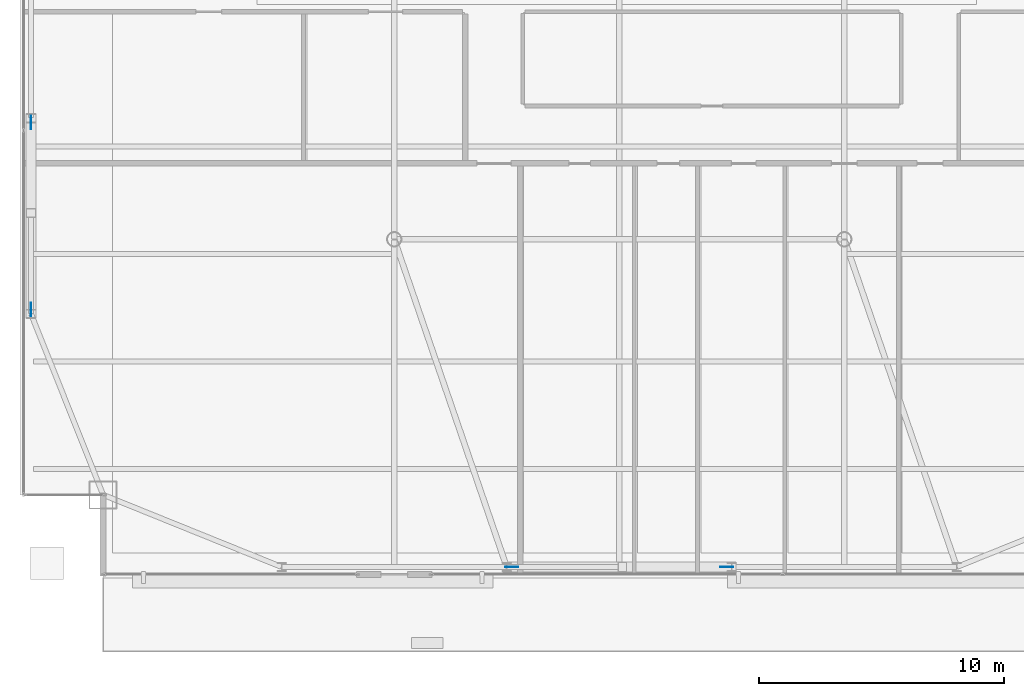
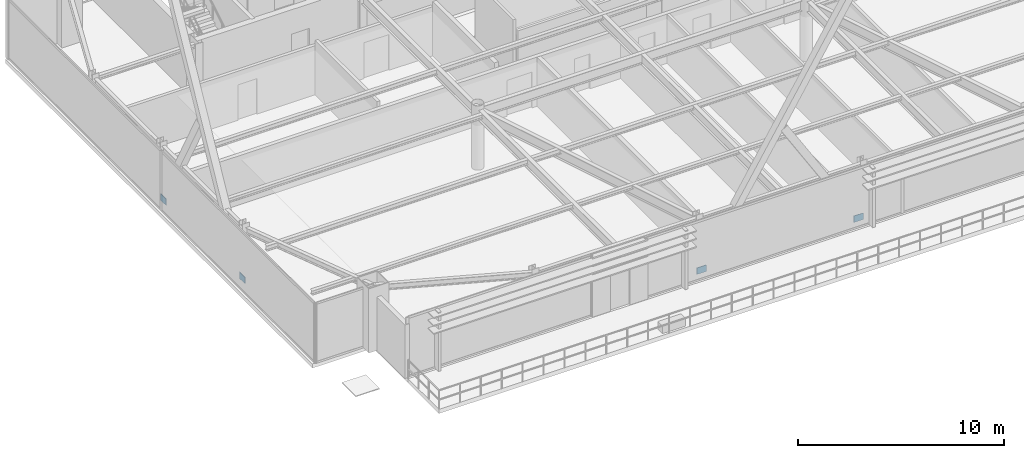
# One storey, part 26 of 33: 4 plates.
"""IFC4 building model written with IfcOpenShell, lengths in metres."""

import ifcopenshell
import ifcopenshell.guid

model = None  # the IFC model being written
_history = None  # IfcOwnerHistory: only IFC2X3 demands one
_inside = {}  # id of a spatial element -> (the spatial element, [elements in it])
_under = {}  # id of a project, library or spatial element -> (it, [spatial elements below it])
_declared = {}  # id of a project -> (the project, [libraries it declares])
_typed = {}  # id of a type object -> (the type object, [elements of that type])
_made_of = {}  # id of a material, layer set ... -> (it, [elements and type objects made of it])


def new_model(schema):
    """Start an empty IFC model of exactly this schema.

    Asked for "IFC4X3", IfcOpenShell would pick the latest addendum, in which some entities
    have other attributes; the version numbers below select the first issue.
    IFC2X3 requires an IfcOwnerHistory on every rooted entity: one is made here for all.
    """
    global model, _history
    if schema == "IFC4X3":
        model = ifcopenshell.file(schema_version=(4, 3, 0, 0))
    else:
        model = ifcopenshell.file(schema=schema)
    _inside.clear()
    _under.clear()
    _declared.clear()
    _typed.clear()
    _made_of.clear()
    _history = None
    if model.schema == "IFC2X3":
        org = make("IfcOrganization", Name="unknown")
        user = make(
            "IfcPersonAndOrganization",
            ThePerson=make("IfcPerson", FamilyName="unknown"),
            TheOrganization=org,
        )
        app = make(
            "IfcApplication",
            ApplicationDeveloper=org,
            Version="unknown",
            ApplicationFullName="unknown",
            ApplicationIdentifier="unknown",
        )
        _history = make(
            "IfcOwnerHistory",
            OwningUser=user,
            OwningApplication=app,
            ChangeAction="ADDED",
            CreationDate=0,
        )
    return model


def make(cls, **values):
    """One entity of the class cls with the attributes given. An attribute that is None is left unset."""
    return model.create_entity(
        cls, **{name: value for name, value in values.items() if value is not None}
    )


def rooted(cls, **values):
    """An entity with a GlobalId (a new one), such as an element, a storey or a relation."""
    return make(cls, GlobalId=ifcopenshell.guid.new(), OwnerHistory=_history, **values)


def si_unit(unit_type, name, prefix=None):
    """IfcSIUnit, for example si_unit("LENGTHUNIT", "METRE", prefix="MILLI")."""
    return make("IfcSIUnit", UnitType=unit_type, Prefix=prefix, Name=name)


def assignment(units):
    """IfcUnitAssignment: the units of a project."""
    return None if units is None else make("IfcUnitAssignment", Units=units)


def point(xyz):
    """IfcCartesianPoint."""
    return None if xyz is None else make("IfcCartesianPoint", Coordinates=xyz)


def direction(xyz):
    """IfcDirection."""
    return None if xyz is None else make("IfcDirection", DirectionRatios=xyz)


def frame(location, z_axis=None, x_axis=None):
    """IfcAxis2Placement3D, a coordinate frame: its origin and axes. An axis left out is left unset."""
    return make(
        "IfcAxis2Placement3D",
        Location=point(location),
        Axis=direction(z_axis),
        RefDirection=direction(x_axis),
    )


def frame_2d(location, x_axis=None):
    """IfcAxis2Placement2D, a coordinate frame in the plane: its origin and x axis."""
    return make(
        "IfcAxis2Placement2D", Location=point(location), RefDirection=direction(x_axis)
    )


def origin():
    """The frame at (0, 0, 0) with its axes left unset."""
    return frame((0.0, 0.0, 0.0))


def origin_2d():
    """The frame at (0, 0) in the plane with its x axis left unset."""
    return frame_2d((0.0, 0.0))


def place(relative_to, where):
    """IfcLocalPlacement: puts the frame where relative to a parent placement (None: the world)."""
    return make(
        "IfcLocalPlacement", PlacementRelTo=relative_to, RelativePlacement=where
    )


def context(
    kind, dimensions, precision=None, world=None, true_north=None, identifier=None
):
    """IfcGeometricRepresentationContext, for example the 3D "Model" context."""
    return make(
        "IfcGeometricRepresentationContext",
        ContextIdentifier=identifier,
        ContextType=kind,
        CoordinateSpaceDimension=dimensions,
        Precision=precision,
        WorldCoordinateSystem=world,
        TrueNorth=true_north,
    )


def subcontext(parent, identifier, kind, view, scale=None):
    """IfcGeometricRepresentationSubContext, for example "Body" below "Model"."""
    return make(
        "IfcGeometricRepresentationSubContext",
        ContextIdentifier=identifier,
        ContextType=kind,
        ParentContext=parent,
        TargetScale=scale,
        TargetView=view,
    )


def project(units=None, contexts=None):
    """IfcProject with its units and contexts."""
    return rooted(
        "IfcProject",
        Name="project",
        RepresentationContexts=contexts,
        UnitsInContext=assignment(units),
    )


def spatial(cls, under=None, at=None, **own):
    """A site, building, storey or space (cls), placed at a placement, below another one or the project."""
    s = rooted(cls, ObjectPlacement=at, **own)
    if under is not None:
        _under.setdefault(under.id(), (under, []))[1].append(s)
    return s


def profile(cls, at=None, kind="AREA", **sizes):
    """A parametric profile (cls). Its sizes go by their IFC names, for example OverallWidth=200.0."""
    return make(cls, ProfileType=kind, Position=at, **sizes)


def rectangle(**sizes):
    """IfcRectangleProfileDef."""
    return profile("IfcRectangleProfileDef", **sizes)


def extrude(swept, where, along, depth):
    """IfcExtrudedAreaSolid: the profile swept, set in the frame where, extruded along a direction by depth."""
    return make(
        "IfcExtrudedAreaSolid",
        SweptArea=swept,
        Position=where,
        ExtrudedDirection=direction(along),
        Depth=depth,
    )


def shape(context_of_items, identifier, shape_type, items):
    """IfcShapeRepresentation: the items that make up one representation, for example the "Body"."""
    return make(
        "IfcShapeRepresentation",
        ContextOfItems=context_of_items,
        RepresentationIdentifier=identifier,
        RepresentationType=shape_type,
        Items=items,
    )


def source(mapping_origin, context_of_items, identifier, shape_type, items):
    """IfcRepresentationMap: a shape defined once, which mapped items show again and again."""
    return make(
        "IfcRepresentationMap",
        MappingOrigin=mapping_origin,
        MappedRepresentation=shape(context_of_items, identifier, shape_type, items),
    )


def transform(
    local_origin,
    x_axis=None,
    y_axis=None,
    z_axis=None,
    scale=None,
    scale2=None,
    scale3=None,
    uniform=True,
):
    """IfcCartesianTransformationOperator3D, or its non-uniform kind. x_axis, y_axis, z_axis: its Axis1, 2, 3."""
    if uniform:
        return make(
            "IfcCartesianTransformationOperator3D",
            Axis1=direction(x_axis),
            Axis2=direction(y_axis),
            LocalOrigin=point(local_origin),
            Scale=scale,
            Axis3=direction(z_axis),
        )
    return make(
        "IfcCartesianTransformationOperator3DnonUniform",
        Axis1=direction(x_axis),
        Axis2=direction(y_axis),
        LocalOrigin=point(local_origin),
        Scale=scale,
        Axis3=direction(z_axis),
        Scale2=scale2,
        Scale3=scale3,
    )


def mapped(mapping_source, mapping_target):
    """IfcMappedItem: shows the shape of a source again, moved by a transform."""
    return make(
        "IfcMappedItem", MappingSource=mapping_source, MappingTarget=mapping_target
    )


def material(Name=None, Category=None):
    """IfcMaterial."""
    return make("IfcMaterial", Name=Name, Category=Category)


def layer(
    of_material, thickness, ventilated=None, Name=None, Category=None, Priority=None
):
    """IfcMaterialLayer: one layer of a wall or slab, of a material (None: an air gap)."""
    return make(
        "IfcMaterialLayer",
        Material=of_material,
        LayerThickness=thickness,
        IsVentilated=ventilated,
        Name=Name,
        Category=Category,
        Priority=Priority,
    )


def layer_set(layers, Name=None):
    """IfcMaterialLayerSet."""
    return make("IfcMaterialLayerSet", MaterialLayers=layers, LayerSetName=Name)


def made_of(thing, what):
    """Note that an element or type object is made of a material, layer set ...; save() writes the relation."""
    if what is not None:
        _made_of.setdefault(what.id(), (what, []))[1].append(thing)
    return thing


def type_object(cls, material=None, **own):
    """A type object (cls), such as IfcWallType, which elements share."""
    return made_of(rooted(cls, **own), material)


def type_shapes(of_type, sources):
    """Give a type object the sources (RepresentationMaps) that its elements show as mapped items."""
    of_type.RepresentationMaps = sources


def element(
    cls,
    number,
    at=None,
    inside=None,
    cuts=None,
    type_object=None,
    material=None,
    context=None,
    identifier="Body",
    shape_type=None,
    held_by="IfcProductDefinitionShape",
    body=None,
    shapes=None,
    **own,
):
    """One element of the class cls, such as IfcWall. Its Tag is "e" and its number.

    at: its placement. inside: the storey or other place that contains it. cuts: it is an
    opening in that element (IfcRelVoidsElement). A single representation is given by context,
    identifier, shape_type and body (its items); several are given by shapes. held_by: the class
    of the entity that holds the representations. save() writes the other relations.
    """
    e = rooted(cls, Tag="e%d" % number, ObjectPlacement=at, **own)
    if body is not None:
        shapes = [shape(context, identifier, shape_type, body)]
    if shapes is not None:
        e.Representation = make(held_by, Representations=shapes)
    if inside is not None:
        _inside.setdefault(inside.id(), (inside, []))[1].append(e)
    if cuts is not None:
        rooted(
            "IfcRelVoidsElement", RelatingBuildingElement=cuts, RelatedOpeningElement=e
        )
    if type_object is not None:
        _typed.setdefault(type_object.id(), (type_object, []))[1].append(e)
    return made_of(e, material)


def aggregate(whole, parts):
    """IfcRelAggregates: a whole, such as a stair, and the parts it consists of."""
    return rooted("IfcRelAggregates", RelatingObject=whole, RelatedObjects=parts)


def save(model, path):
    """Write the relations noted so far, then the file.

    IfcRelAggregates (storeys below a building ...), IfcRelContainedInSpatialStructure (elements
    in a storey), IfcRelDefinesByType, IfcRelAssociatesMaterial and IfcRelDeclares: one each for
    every whole, place, type object, material and project.
    """
    for whole, parts in _under.values():
        aggregate(whole, parts)
    for where, things in _inside.values():
        rooted(
            "IfcRelContainedInSpatialStructure",
            RelatedElements=things,
            RelatingStructure=where,
        )
    for kind, things in _typed.values():
        rooted("IfcRelDefinesByType", RelatedObjects=things, RelatingType=kind)
    for what, things in _made_of.values():
        rooted("IfcRelAssociatesMaterial", RelatedObjects=things, RelatingMaterial=what)
    for by, libraries in _declared.values():
        rooted("IfcRelDeclares", RelatingContext=by, RelatedDefinitions=libraries)
    model.write(path)


model = new_model("IFC4")

# Units and contexts
model_context = context("Model", 3, precision=1e-05, world=origin(), true_north=direction((0.0, 1.0)))
body_context = subcontext(model_context, "Body", "Model", "MODEL_VIEW")
ifc_project = project(units=[si_unit("LENGTHUNIT", "METRE"), si_unit("AREAUNIT", "SQUARE_METRE"), si_unit("VOLUMEUNIT", "CUBIC_METRE"), si_unit("PLANEANGLEUNIT", "RADIAN"), si_unit("MASSUNIT", "GRAM", prefix="KILO")], contexts=[model_context])

# Site, building, storey
site_placement = place(None, origin())
site = spatial("IfcSite", under=ifc_project, at=site_placement, CompositionType="ELEMENT")
building_placement = place(site_placement, origin())
building = spatial("IfcBuilding", under=site, at=building_placement, Name="Varnel Quay Broadcast Tower", CompositionType="ELEMENT")
storey_placement = place(building_placement, frame((0.0, 0.0, 199.800048828125)))
storey = spatial("IfcBuildingStorey", under=building, at=storey_placement, Name="L49", CompositionType="ELEMENT", Elevation=199.800048828125)

# Plates
ifc_material = material(Name="Structural Steel CSA G40.21 350WT", Category="steel")
ifc_layer = layer(ifc_material, 0.031982421875, Name="Structural Steel CSA G40.21 350WT")
ifc_layer_set = layer_set([ifc_layer], Name="Structural Steel CSA G40.21 350WT")
plate_type = type_object("IfcPlateType", Name="Plate_EndCap", PredefinedType="USERDEFINED", material=ifc_layer_set)
shared_shape = source(origin(), body_context, "Body", "SweptSolid", [
    extrude(rectangle(XDim=0.5400390625, YDim=0.031982421875, at=origin_2d()), origin(), (0.0, 0.0, 1.0), 0.3798828125),
])
type_shapes(plate_type, [shared_shape])
for number, where, z_axis, x_axis, name in (
    (1, (29.599609375, 10.64990234375, 0.1533203125), (0.0, 0.0, 1.0), (1.0, 0.0, 0.0), "Zone 4 Mega-Brace S-C1T1 Diag A End Connection Plate P0"),
    (2, (38.400390625, 10.64990234375, 0.1533203125), (0.0, 0.0, 1.0), (1.0, 0.0, 0.0), "Zone 4 Mega-Brace S-C1T1 Diag B1 End Connection Plate P0"),
    (3, (9.949951171875, 21.1796875, 0.164794921875), (0.0, 0.0, 1.0), (0.0, 1.0, 0.0), "Zone 4 Mega-Brace W-FT1 Diag A End Connection Plate P0"),
    (4, (9.949951171875, 28.8203125, 0.164794921875), (0.0, 0.0, 1.0), (0.0, 1.0, 0.0), "Zone 4 Mega-Brace W-FT1 Diag B1 End Connection Plate P0"),
):
    element("IfcPlate", number, at=place(storey_placement, frame(where, z_axis=z_axis, x_axis=x_axis)), inside=storey, type_object=plate_type, Name=name, ObjectType="CAP_PLATE", PredefinedType="USERDEFINED", context=body_context, shape_type="MappedRepresentation", body=[
        mapped(shared_shape, transform((0.0, 0.0, 0.0), x_axis=(1.0, 0.0, 0.0), y_axis=(0.0, 1.0, 0.0), z_axis=(0.0, 0.0, 1.0), scale=1.0)),
    ])

save(model, "model.ifc")
